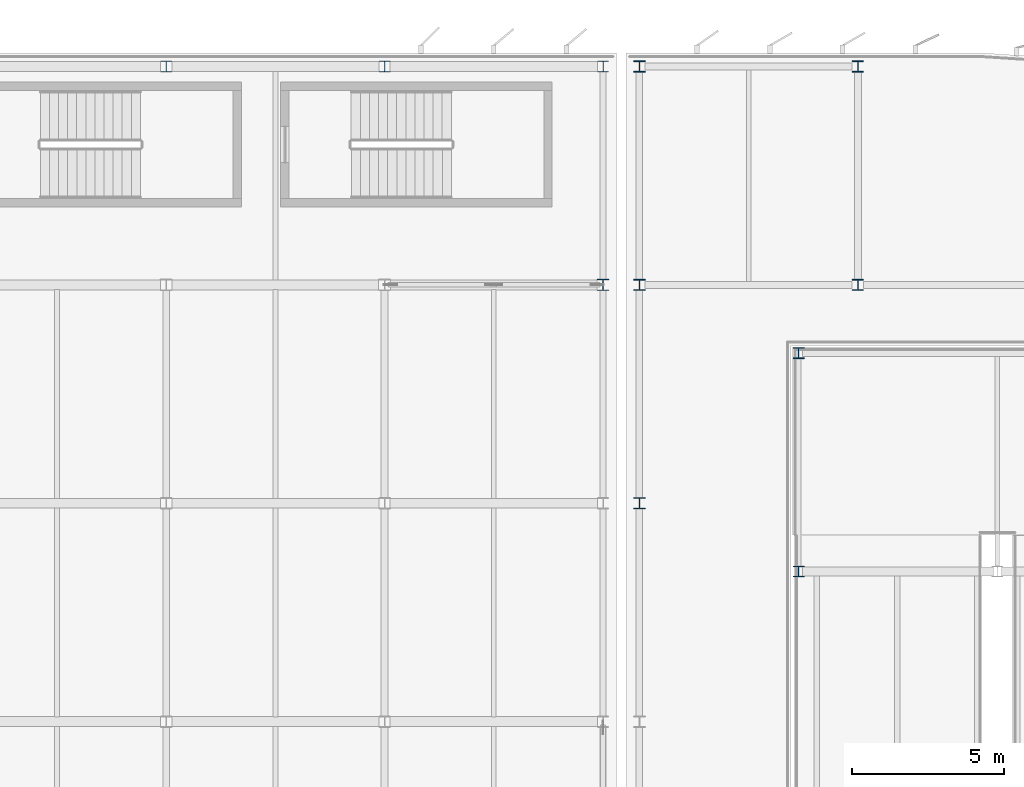
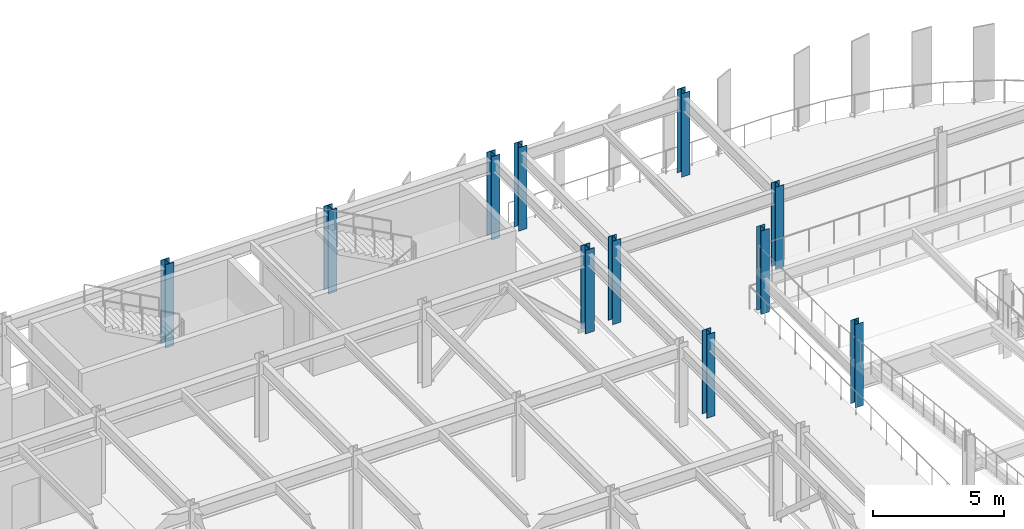
# One storey, part 8 of 80: 11 columns.
"""IFC4 building model written with IfcOpenShell, lengths in metres."""

from ifc_helpers import new_model, si_unit, direction, frame, origin, origin_2d, place, context, subcontext, project, spatial, i_section, extrude, material, material_profile, profile_set, type_object, element, save


model = new_model("IFC4")

# Units and contexts
model_context = context("Model", 3, precision=1e-05, world=origin(), true_north=direction((0.0, 1.0)))
body_context = subcontext(model_context, "Body", "Model", "MODEL_VIEW")
ifc_project = project(units=[si_unit("LENGTHUNIT", "METRE"), si_unit("AREAUNIT", "SQUARE_METRE"), si_unit("VOLUMEUNIT", "CUBIC_METRE"), si_unit("PLANEANGLEUNIT", "RADIAN"), si_unit("MASSUNIT", "GRAM", prefix="KILO")], contexts=[model_context])

# Site, building, storey
site_placement = place(None, origin())
site = spatial("IfcSite", under=ifc_project, at=site_placement, CompositionType="ELEMENT")
building_placement = place(site_placement, origin())
building = spatial("IfcBuilding", under=site, at=building_placement, Name="Vaelcorin Mobility Hub", CompositionType="ELEMENT")
storey_placement = place(building_placement, frame((0.0, 0.0, 9.300048828125)))
storey = spatial("IfcBuildingStorey", under=building, at=storey_placement, Name="L02", CompositionType="ELEMENT", Elevation=9.300048828125)

# Columns
ifc_material = material(Name="Steel ASTM A992 Grade 50", Category="steel")
ifc_material_profile_1 = material_profile(ifc_material, i_section(OverallWidth=0.37109375, OverallDepth=0.363037109375, WebThickness=0.01318359375, FlangeThickness=0.021728515625, FilletRadius=0.014892578125, at=origin_2d()), Name="W14X109")
ifc_profile_set_1 = profile_set([ifc_material_profile_1], Name="Steel ASTM A992 Grade 50")
column_type_1 = type_object("IfcColumnType", Name="COL-W14X109", PredefinedType="COLUMN", material=ifc_profile_set_1)
for number, where, z_axis, x_axis, name in (
    (1, (123.60009765625, 105.60009765625, 0.0), (0.0, 0.0, 1.0), (1.0, 0.0, 0.0), "Column V2E-G1x5 L02"),
    (2, (123.60009765625, 112.800048828125, 0.0), (0.0, 0.0, 1.0), (1.0, 0.0, 0.0), "Column V2E-G1x6 L02"),
    (3, (123.60009765625, 120.0, 0.0), (0.0, 0.0, 1.0), (1.0, 0.0, 0.0), "Column V2E-G1x7 L02"),
    (4, (130.800048828125, 112.800048828125, 0.0), (0.0, 0.0, 1.0), (1.0, 0.0, 0.0), "Column V2E-G2x6 L02"),
    (5, (130.800048828125, 120.0, 0.0), (0.0, 0.0, 1.0), (1.0, 0.0, 0.0), "Column V2E-G2x7 L02"),
):
    element("IfcColumn", number, at=place(storey_placement, frame(where, z_axis=z_axis, x_axis=x_axis)), inside=storey, type_object=column_type_1, Name=name, PredefinedType="COLUMN", context=body_context, shape_type="SweptSolid", body=[
        extrude(i_section(OverallWidth=0.37109375, OverallDepth=0.363037109375, WebThickness=0.01318359375, FlangeThickness=0.021728515625, FilletRadius=0.014892578125, at=origin_2d()), origin(), (0.0, 0.0, 1.0), 3.89990234375),
    ])
ifc_material_profile_2 = material_profile(ifc_material, i_section(OverallWidth=0.373046875, OverallDepth=0.373046875, WebThickness=0.016357421875, FlangeThickness=0.026123046875, FilletRadius=0.014892578125, at=origin_2d()), Name="W14X132")
ifc_profile_set_2 = profile_set([ifc_material_profile_2], Name="Steel ASTM A992 Grade 50")
column_type_2 = type_object("IfcColumnType", Name="COL-W14X132", PredefinedType="COLUMN", material=ifc_profile_set_2)
for number, where, z_axis, x_axis, name in (
    (6, (108.0, 120.0, 0.0), (0.0, 0.0, 1.0), (1.0, 0.0, 0.0), "Column V4-X11Y07 L02"),
    (7, (115.199951171875, 120.0, 0.0), (0.0, 0.0, 1.0), (1.0, 0.0, 0.0), "Column V4-X12Y07 L02"),
    (8, (122.39990234375, 120.0, 0.0), (0.0, 0.0, 1.0), (1.0, 0.0, 0.0), "Column V4-X13Y07 L02"),
):
    element("IfcColumn", number, at=place(storey_placement, frame(where, z_axis=z_axis, x_axis=x_axis)), inside=storey, type_object=column_type_2, Name=name, PredefinedType="COLUMN", context=body_context, shape_type="SweptSolid", body=[
        extrude(i_section(OverallWidth=0.373046875, OverallDepth=0.373046875, WebThickness=0.016357421875, FlangeThickness=0.026123046875, FilletRadius=0.014892578125, at=origin_2d()), origin(), (0.0, 0.0, 1.0), 3.89990234375),
    ])
ifc_material_profile_3 = material_profile(ifc_material, i_section(OverallWidth=0.39599609375, OverallDepth=0.381103515625, WebThickness=0.018798828125, FlangeThickness=0.0302734375, FilletRadius=0.014892578125, at=origin_2d()), Name="W14X159")
ifc_profile_set_3 = profile_set([ifc_material_profile_3], Name="Steel ASTM A992 Grade 50")
column_type_3 = type_object("IfcColumnType", Name="COL-W14X159", PredefinedType="COLUMN", material=ifc_profile_set_3)
column_placement = place(storey_placement, frame((122.39990234375, 112.800048828125, 0.0), z_axis=(0.0, 0.0, 1.0), x_axis=(1.0, 0.0, 0.0)))
element("IfcColumn", 9, at=column_placement, inside=storey, type_object=column_type_3, Name="Column V4-X13Y06 L02", PredefinedType="COLUMN", context=body_context, shape_type="SweptSolid", body=[
    extrude(i_section(OverallWidth=0.39599609375, OverallDepth=0.381103515625, WebThickness=0.018798828125, FlangeThickness=0.0302734375, FilletRadius=0.014892578125, at=origin_2d()), origin(), (0.0, 0.0, 1.0), 3.89990234375),
])
ifc_material_profile_4 = material_profile(ifc_material, i_section(OverallWidth=0.367919921875, OverallDepth=0.35595703125, WebThickness=0.01123046875, FlangeThickness=0.01806640625, FilletRadius=0.014892578125, at=origin_2d()), Name="W14X90")
ifc_profile_set_4 = profile_set([ifc_material_profile_4], Name="Steel ASTM A992 Grade 50")
column_type_4 = type_object("IfcColumnType", Name="COL-W14X90", PredefinedType="COLUMN", material=ifc_profile_set_4)
for number, where, z_axis, x_axis, name in (
    (10, (128.85009765625, 103.35009765625, 0.0), (0.0, 0.0, 1.0), (1.0, 0.0, 0.0), "Column V2E-RDRM-WN L02"),
    (11, (128.85009765625, 110.550048828125, 0.0), (0.0, 0.0, 1.0), (1.0, 0.0, 0.0), "Column V2E-RDRM-WB L02"),
):
    element("IfcColumn", number, at=place(storey_placement, frame(where, z_axis=z_axis, x_axis=x_axis)), inside=storey, type_object=column_type_4, Name=name, PredefinedType="COLUMN", context=body_context, shape_type="SweptSolid", body=[
        extrude(i_section(OverallWidth=0.367919921875, OverallDepth=0.35595703125, WebThickness=0.01123046875, FlangeThickness=0.01806640625, FilletRadius=0.014892578125, at=origin_2d()), origin(), (0.0, 0.0, 1.0), 3.89990234375),
    ])

save(model, "model.ifc")
